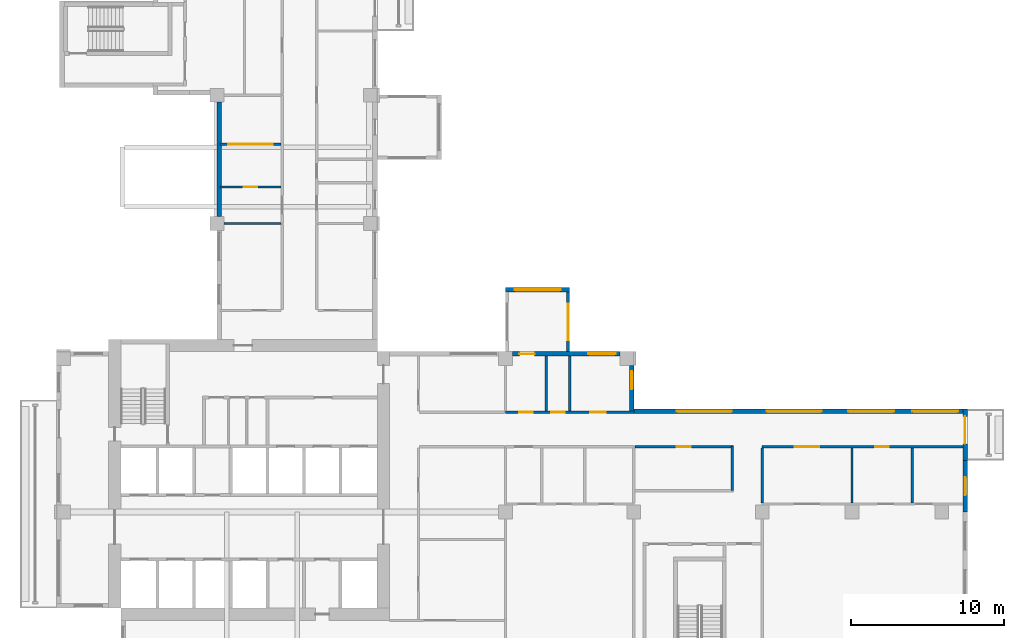
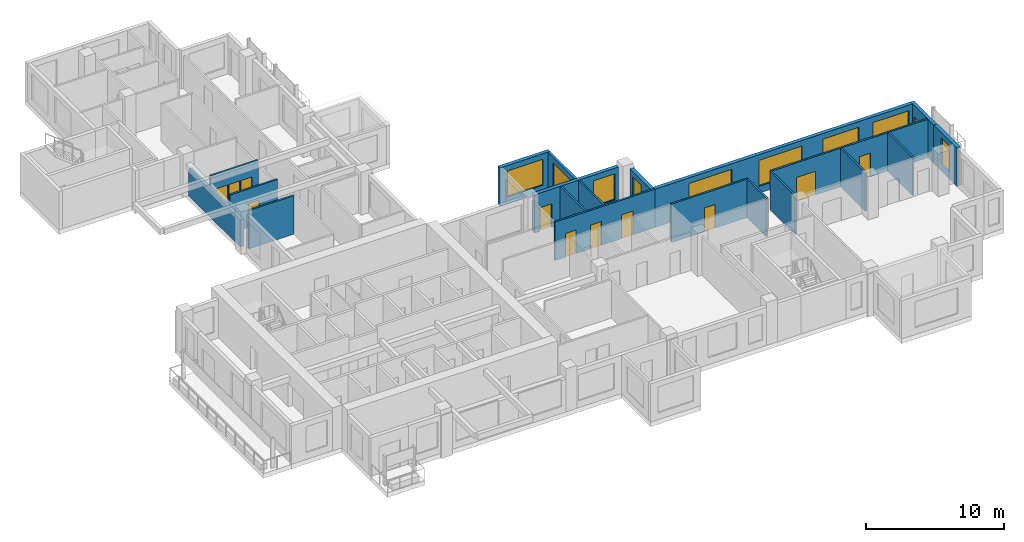
# One storey, part 6 of 13: 20 walls, 12 doors, 9 windows, 21 openings.
"""IFC4 building model written with IfcOpenShell, lengths in metres."""

from ifc_helpers import new_model, si_unit, direction, frame, frame_2d, origin, place, context, subcontext, project, spatial, rectangle, extrude, source, transform, mapped, material, layer, layer_set, type_object, element, fill, save


model = new_model("IFC4")

# Units and contexts
model_context = context("Model", 3, precision=1e-05, world=origin(), true_north=direction((0.0, 1.0)))
body_context = subcontext(model_context, "Body", "Model", "MODEL_VIEW")
ifc_project = project(units=[si_unit("LENGTHUNIT", "METRE"), si_unit("AREAUNIT", "SQUARE_METRE"), si_unit("VOLUMEUNIT", "CUBIC_METRE"), si_unit("PLANEANGLEUNIT", "RADIAN"), si_unit("MASSUNIT", "GRAM", prefix="KILO")], contexts=[model_context])

# Site, building, storey
site_placement = place(None, origin())
site = spatial("IfcSite", under=ifc_project, at=site_placement, CompositionType="ELEMENT")
building_placement = place(site_placement, origin())
building = spatial("IfcBuilding", under=site, at=building_placement, Name="Aurelian Terraces", CompositionType="ELEMENT")
storey_placement = place(building_placement, frame((0.0, 0.0, 193.0)))
storey = spatial("IfcBuildingStorey", under=building, at=storey_placement, Name="L42", CompositionType="ELEMENT", Elevation=193.0)

# Wall
ifc_material_1 = material(Name="Gypsum board on steel studs", Category="steel")
ifc_layer_1 = layer(ifc_material_1, 0.15)
ifc_layer_set_1 = layer_set([ifc_layer_1], Name="Partition 150")
wall_type_1 = type_object("IfcWallType", Name="Partition 150", PredefinedType="PARTITIONING", material=ifc_layer_set_1)
wall_1_placement = place(storey_placement, frame((44.25, 11.9, 0.0), z_axis=(0.0, 0.0, 1.0), x_axis=(0.0, 1.0, 0.0)))
element("IfcWall", 1, at=wall_1_placement, inside=storey, type_object=wall_type_1, Name="Partition", PredefinedType="PARTITIONING", context=body_context, shape_type="SweptSolid", body=[
    extrude(rectangle(XDim=2.875, YDim=0.15, at=frame_2d((1.4375, 0.0))), origin(), (0.0, 0.0, 1.0), 3.4),
])

# Wall, opening, window
ifc_material_2 = material(Name="Concrete fc' 40 MPa", Category="concrete")
ifc_layer_2 = layer(ifc_material_2, 0.2)
ifc_layer_set_2 = layer_set([ifc_layer_2], Name="BOX BEARING WALL 200")
wall_type_2 = type_object("IfcWallType", Name="BOX BEARING WALL 200", PredefinedType="SOLIDWALL", material=ifc_layer_set_2)
shared_shape_1 = source(origin(), body_context, "Body", "SweptSolid", [
    extrude(rectangle(XDim=3.9, YDim=0.2, at=frame_2d((1.95, 0.0))), origin(), (0.0, 0.0, 1.0), 3.39),
])
wall_2_placement = place(storey_placement, frame((33.5, 21.0, 0.0), z_axis=(0.0, 0.0, 1.0), x_axis=(0.0, 1.0, 0.0)))
wall_2 = element("IfcWall", 2, at=wall_2_placement, inside=storey, type_object=wall_type_2, Name="Box return L42 J59.1", PredefinedType="SOLIDWALL", context=body_context, shape_type="MappedRepresentation", body=[
    mapped(shared_shape_1, transform((0.0, 0.0, 0.0), scale=1.0)),
])
shared_shape_2 = source(origin(), body_context, "Body", "SweptSolid", [
    extrude(rectangle(XDim=2.4, YDim=2.3, at=frame_2d((1.2, 1.15))), frame((0.0, 0.11, 0.0), z_axis=(0.0, -1.0, 0.0), x_axis=(1.0, 0.0, 0.0)), (0.0, 0.0, 1.0), 0.22),
])
opening_1_placement = place(wall_2_placement, frame((0.75, 0.0, 0.6)))
opening_1 = element("IfcOpeningElement", 3, at=opening_1_placement, cuts=wall_2, Name="Opening W2423", PredefinedType="OPENING", context=body_context, shape_type="MappedRepresentation", body=[
    mapped(shared_shape_2, transform((0.0, 0.0, 0.0), scale=1.0)),
])
ifc_material_3 = material(Name="Clear glazing", Category="glass")
window_type_1 = type_object("IfcWindowType", Name="W-2400x2300", PartitioningType="SINGLE_PANEL", PredefinedType="WINDOW", material=ifc_material_3)
shared_shape_3 = source(origin(), body_context, "Body", "SweptSolid", [
    extrude(rectangle(XDim=2.4, YDim=2.3, at=frame_2d((1.2, 1.15))), frame((0.0, 0.03, 0.0), z_axis=(0.0, -1.0, 0.0), x_axis=(1.0, 0.0, 0.0)), (0.0, 0.0, 1.0), 0.06),
])
window_1_placement = place(opening_1_placement, origin())
window_1 = element("IfcWindow", 4, at=window_1_placement, inside=storey, type_object=window_type_1, Name="Window L42 J59-S1", OverallHeight=2.3, OverallWidth=2.4, PartitioningType="SINGLE_PANEL", PredefinedType="WINDOW", context=body_context, shape_type="MappedRepresentation", body=[
    mapped(shared_shape_3, transform((0.0, 0.0, 0.0), scale=1.0)),
])
fill(opening_1, window_1)

ifc_layer_3 = layer(ifc_material_2, 0.3)
ifc_layer_set_3 = layer_set([ifc_layer_3], Name="BOX BEARING WALL 300")
wall_type_3 = type_object("IfcWallType", Name="BOX BEARING WALL 300", PredefinedType="SOLIDWALL", material=ifc_layer_set_3)
shared_shape_4 = source(origin(), body_context, "Body", "SweptSolid", [
    extrude(rectangle(XDim=4.2, YDim=0.3, at=frame_2d((2.1, 0.0))), origin(), (0.0, 0.0, 1.0), 3.39),
])
wall_3_placement = place(storey_placement, frame((33.6, 25.05, 0.0), z_axis=(0.0, 0.0, 1.0), x_axis=(-1.0, 0.0, 0.0)))
wall_3 = element("IfcWall", 5, at=wall_3_placement, inside=storey, type_object=wall_type_3, Name="Box wall L42 J59", PredefinedType="SOLIDWALL", context=body_context, shape_type="MappedRepresentation", body=[
    mapped(shared_shape_4, transform((0.0, 0.0, 0.0), scale=1.0)),
])
shared_shape_5 = source(origin(), body_context, "Body", "SweptSolid", [
    extrude(rectangle(XDim=3.0, YDim=2.3, at=frame_2d((1.5, 1.15))), frame((0.0, 0.16, 0.0), z_axis=(0.0, -1.0, 0.0), x_axis=(1.0, 0.0, 0.0)), (0.0, 0.0, 1.0), 0.32),
])
opening_2_placement = place(wall_3_placement, frame((0.6, 0.0, 0.6)))
opening_2 = element("IfcOpeningElement", 6, at=opening_2_placement, cuts=wall_3, Name="Opening W3023", PredefinedType="OPENING", context=body_context, shape_type="MappedRepresentation", body=[
    mapped(shared_shape_5, transform((0.0, 0.0, 0.0), scale=1.0)),
])
window_type_2 = type_object("IfcWindowType", Name="W-3000x2300", PartitioningType="SINGLE_PANEL", PredefinedType="WINDOW", material=ifc_material_3)
shared_shape_6 = source(origin(), body_context, "Body", "SweptSolid", [
    extrude(rectangle(XDim=3.0, YDim=2.3, at=frame_2d((1.5, 1.15))), frame((0.0, 0.03, 0.0), z_axis=(0.0, -1.0, 0.0), x_axis=(1.0, 0.0, 0.0)), (0.0, 0.0, 1.0), 0.06),
])
window_2_placement = place(opening_2_placement, origin())
window_2 = element("IfcWindow", 7, at=window_2_placement, inside=storey, type_object=window_type_2, Name="Window L42 J59-F1", OverallHeight=2.3, OverallWidth=3.0, PartitioningType="SINGLE_PANEL", PredefinedType="WINDOW", context=body_context, shape_type="MappedRepresentation", body=[
    mapped(shared_shape_6, transform((0.0, 0.0, 0.0), scale=1.0)),
])
fill(opening_2, window_2)

ifc_material_4 = material(Name="Terracotta rainscreen cladding", Category="masonry")
ifc_layer_4 = layer(ifc_material_4, 0.3)
ifc_layer_set_4 = layer_set([ifc_layer_4], Name="EW-300")
wall_type_4 = type_object("IfcWallType", Name="EW-300", PredefinedType="STANDARD", material=ifc_layer_set_4)
shared_shape_7 = source(origin(), body_context, "Body", "SweptSolid", [
    extrude(rectangle(XDim=3.375, YDim=0.3, at=frame_2d((1.6875, 0.0))), origin(), (0.0, 0.0, 1.0), 3.4),
])
wall_4_placement = place(storey_placement, frame((59.49, 10.5, 0.0), z_axis=(0.0, 0.0, 1.0), x_axis=(0.0, 1.0, 0.0)))
wall_4 = element("IfcWall", 8, at=wall_4_placement, inside=storey, type_object=wall_type_4, Name="External wall L42 F04.13", PredefinedType="STANDARD", context=body_context, shape_type="MappedRepresentation", body=[
    mapped(shared_shape_7, transform((0.0, 0.0, 0.0), scale=1.0)),
])
shared_shape_8 = source(origin(), body_context, "Body", "SweptSolid", [
    extrude(rectangle(XDim=1.2, YDim=2.3, at=frame_2d((0.6, 1.15))), frame((0.0, 0.16, 0.0), z_axis=(0.0, -1.0, 0.0), x_axis=(1.0, 0.0, 0.0)), (0.0, 0.0, 1.0), 0.32),
])
opening_3_placement = place(wall_4_placement, frame((1.0875, 0.0, 0.6)))
opening_3 = element("IfcOpeningElement", 9, at=opening_3_placement, cuts=wall_4, Name="Opening W1223", PredefinedType="OPENING", context=body_context, shape_type="MappedRepresentation", body=[
    mapped(shared_shape_8, transform((0.0, 0.0, 0.0), scale=1.0)),
])
window_type_3 = type_object("IfcWindowType", Name="W-1200x2300", PartitioningType="SINGLE_PANEL", PredefinedType="WINDOW", material=ifc_material_3)
shared_shape_9 = source(origin(), body_context, "Body", "SweptSolid", [
    extrude(rectangle(XDim=1.2, YDim=2.3, at=frame_2d((0.6, 1.15))), frame((0.0, 0.03, 0.0), z_axis=(0.0, -1.0, 0.0), x_axis=(1.0, 0.0, 0.0)), (0.0, 0.0, 1.0), 0.06),
])
window_3_placement = place(opening_3_placement, origin())
window_3 = element("IfcWindow", 10, at=window_3_placement, inside=storey, type_object=window_type_3, Name="Window L42 L42-F04-13-0", OverallHeight=2.3, OverallWidth=1.2, PartitioningType="SINGLE_PANEL", PredefinedType="WINDOW", context=body_context, shape_type="MappedRepresentation", body=[
    mapped(shared_shape_9, transform((0.0, 0.0, 0.0), scale=1.0)),
])
fill(opening_3, window_3)

# Wall, opening, door
wall_5_placement = place(storey_placement, frame((59.49, 13.875, 0.0), z_axis=(0.0, 0.0, 1.0), x_axis=(0.0, 1.0, 0.0)))
wall_5 = element("IfcWall", 11, at=wall_5_placement, inside=storey, type_object=wall_type_4, Name="External wall L42 F04.14", PredefinedType="STANDARD", context=body_context, shape_type="MappedRepresentation", body=[
    mapped(shared_shape_7, transform((0.0, 0.0, 0.0), scale=1.0)),
])
shared_shape_10 = source(origin(), body_context, "Body", "SweptSolid", [
    extrude(rectangle(XDim=1.8, YDim=2.4, at=frame_2d((0.9, 1.2))), frame((0.0, 0.16, 0.0), z_axis=(0.0, -1.0, 0.0), x_axis=(1.0, 0.0, 0.0)), (0.0, 0.0, 1.0), 0.32),
])
opening_4_placement = place(wall_5_placement, frame((1.0875, 0.0, 0.0)))
opening_4 = element("IfcOpeningElement", 12, at=opening_4_placement, cuts=wall_5, Name="Opening 84202", PredefinedType="OPENING", context=body_context, shape_type="MappedRepresentation", body=[
    mapped(shared_shape_10, transform((0.0, 0.0, 0.0), scale=1.0)),
])
door_type_1 = type_object("IfcDoorType", Name="BD-1800x2400", OperationType="SLIDING_TO_LEFT", PredefinedType="DOOR", material=ifc_material_3)
shared_shape_11 = source(origin(), body_context, "Body", "SweptSolid", [
    extrude(rectangle(XDim=1.8, YDim=2.4, at=frame_2d((0.9, 1.2))), frame((0.0, 0.025, 0.0), z_axis=(0.0, -1.0, 0.0), x_axis=(1.0, 0.0, 0.0)), (0.0, 0.0, 1.0), 0.05),
])
door_1_placement = place(opening_4_placement, origin())
door_1 = element("IfcDoor", 13, at=door_1_placement, inside=storey, type_object=door_type_1, Name="Balcony door L42 F04.14", OperationType="SLIDING_TO_LEFT", OverallHeight=2.4, OverallWidth=1.8, PredefinedType="DOOR", context=body_context, shape_type="MappedRepresentation", body=[
    mapped(shared_shape_11, transform((0.0, 0.0, 0.0), scale=1.0)),
])
fill(opening_4, door_1)

# Wall, openings, windows
shared_shape_12 = source(origin(), body_context, "Body", "SweptSolid", [
    extrude(rectangle(XDim=21.84, YDim=0.3, at=frame_2d((10.92, 0.0))), origin(), (0.0, 0.0, 1.0), 3.4),
])
wall_6_placement = place(storey_placement, frame((59.64, 17.1, 0.0), z_axis=(0.0, 0.0, 1.0), x_axis=(-1.0, 0.0, 0.0)))
wall_6 = element("IfcWall", 14, at=wall_6_placement, inside=storey, type_object=wall_type_4, Name="External wall L42 F05.15", PredefinedType="STANDARD", context=body_context, shape_type="MappedRepresentation", body=[
    mapped(shared_shape_12, transform((0.0, 0.0, 0.0), scale=1.0)),
])
opening_5_placement = place(wall_6_placement, frame((0.6, 0.0, 0.6)))
opening_5 = element("IfcOpeningElement", 15, at=opening_5_placement, cuts=wall_6, Name="Opening W3023", PredefinedType="OPENING", context=body_context, shape_type="MappedRepresentation", body=[
    mapped(shared_shape_5, transform((0.0, 0.0, 0.0), scale=1.0)),
])
opening_6_placement = place(wall_6_placement, frame((4.8, 0.0, 0.6)))
opening_6 = element("IfcOpeningElement", 16, at=opening_6_placement, cuts=wall_6, Name="Opening W3023", PredefinedType="OPENING", context=body_context, shape_type="MappedRepresentation", body=[
    mapped(shared_shape_5, transform((0.0, 0.0, 0.0), scale=1.0)),
])
shared_shape_13 = source(origin(), body_context, "Body", "SweptSolid", [
    extrude(rectangle(XDim=3.6, YDim=2.3, at=frame_2d((1.8, 1.15))), frame((0.0, 0.16, 0.0), z_axis=(0.0, -1.0, 0.0), x_axis=(1.0, 0.0, 0.0)), (0.0, 0.0, 1.0), 0.32),
])
opening_7_placement = place(wall_6_placement, frame((9.54, 0.0, 0.6)))
opening_7 = element("IfcOpeningElement", 17, at=opening_7_placement, cuts=wall_6, Name="Opening W3623", PredefinedType="OPENING", context=body_context, shape_type="MappedRepresentation", body=[
    mapped(shared_shape_13, transform((0.0, 0.0, 0.0), scale=1.0)),
])
opening_8_placement = place(wall_6_placement, frame((15.42, 0.0, 0.6)))
opening_8 = element("IfcOpeningElement", 18, at=opening_8_placement, cuts=wall_6, Name="Opening W3623", PredefinedType="OPENING", context=body_context, shape_type="MappedRepresentation", body=[
    mapped(shared_shape_13, transform((0.0, 0.0, 0.0), scale=1.0)),
])
window_type_4 = type_object("IfcWindowType", Name="W-3600x2300", PartitioningType="SINGLE_PANEL", PredefinedType="WINDOW", material=ifc_material_3)
shared_shape_14 = source(origin(), body_context, "Body", "SweptSolid", [
    extrude(rectangle(XDim=3.6, YDim=2.3, at=frame_2d((1.8, 1.15))), frame((0.0, 0.03, 0.0), z_axis=(0.0, -1.0, 0.0), x_axis=(1.0, 0.0, 0.0)), (0.0, 0.0, 1.0), 0.06),
])
window_4_placement = place(opening_7_placement, origin())
window_4 = element("IfcWindow", 19, at=window_4_placement, inside=storey, type_object=window_type_4, Name="Window L42 L42-F05-15-2", OverallHeight=2.3, OverallWidth=3.6, PartitioningType="SINGLE_PANEL", PredefinedType="WINDOW", context=body_context, shape_type="MappedRepresentation", body=[
    mapped(shared_shape_14, transform((0.0, 0.0, 0.0), scale=1.0)),
])
fill(opening_7, window_4)
window_5_placement = place(opening_8_placement, origin())
window_5 = element("IfcWindow", 20, at=window_5_placement, inside=storey, type_object=window_type_4, Name="Window L42 L42-F05-15-3", OverallHeight=2.3, OverallWidth=3.6, PartitioningType="SINGLE_PANEL", PredefinedType="WINDOW", context=body_context, shape_type="MappedRepresentation", body=[
    mapped(shared_shape_14, transform((0.0, 0.0, 0.0), scale=1.0)),
])
fill(opening_8, window_5)
window_6_placement = place(opening_5_placement, origin())
window_6 = element("IfcWindow", 21, at=window_6_placement, inside=storey, type_object=window_type_2, Name="Window L42 L42-F05-15-0", OverallHeight=2.3, OverallWidth=3.0, PartitioningType="SINGLE_PANEL", PredefinedType="WINDOW", context=body_context, shape_type="MappedRepresentation", body=[
    mapped(shared_shape_6, transform((0.0, 0.0, 0.0), scale=1.0)),
])
fill(opening_5, window_6)
window_7_placement = place(opening_6_placement, origin())
window_7 = element("IfcWindow", 22, at=window_7_placement, inside=storey, type_object=window_type_2, Name="Window L42 L42-F05-15-1", OverallHeight=2.3, OverallWidth=3.0, PartitioningType="SINGLE_PANEL", PredefinedType="WINDOW", context=body_context, shape_type="MappedRepresentation", body=[
    mapped(shared_shape_6, transform((0.0, 0.0, 0.0), scale=1.0)),
])
fill(opening_6, window_7)

# Wall, opening, window
shared_shape_15 = source(origin(), body_context, "Body", "SweptSolid", [
    extrude(rectangle(XDim=3.0, YDim=0.3, at=frame_2d((1.5, 0.0))), origin(), (0.0, 0.0, 1.0), 3.4),
])
wall_7_placement = place(storey_placement, frame((37.65, 17.1, 0.0), z_axis=(0.0, 0.0, 1.0), x_axis=(0.0, 1.0, 0.0)))
wall_7 = element("IfcWall", 23, at=wall_7_placement, inside=storey, type_object=wall_type_4, Name="External wall L42 F06.16", PredefinedType="STANDARD", context=body_context, shape_type="MappedRepresentation", body=[
    mapped(shared_shape_15, transform((0.0, 0.0, 0.0), scale=1.0)),
])
opening_9_placement = place(wall_7_placement, frame((1.425, 0.0, 0.6)))
opening_9 = element("IfcOpeningElement", 24, at=opening_9_placement, cuts=wall_7, Name="Opening W1223", PredefinedType="OPENING", context=body_context, shape_type="MappedRepresentation", body=[
    mapped(shared_shape_8, transform((0.0, 0.0, 0.0), scale=1.0)),
])
window_8_placement = place(opening_9_placement, origin())
window_8 = element("IfcWindow", 25, at=window_8_placement, inside=storey, type_object=window_type_3, Name="Window L42 L42-F06-16-0", OverallHeight=2.3, OverallWidth=1.2, PartitioningType="SINGLE_PANEL", PredefinedType="WINDOW", context=body_context, shape_type="MappedRepresentation", body=[
    mapped(shared_shape_9, transform((0.0, 0.0, 0.0), scale=1.0)),
])
fill(opening_9, window_8)

# Wall, openings, window, door
shared_shape_16 = source(origin(), body_context, "Body", "SweptSolid", [
    extrude(rectangle(XDim=7.05, YDim=0.3, at=frame_2d((3.525, 0.0))), origin(), (0.0, 0.0, 1.0), 3.4),
])
wall_8_placement = place(storey_placement, frame((36.9, 20.85, 0.0), z_axis=(0.0, 0.0, 1.0), x_axis=(-1.0, 0.0, 0.0)))
wall_8 = element("IfcWall", 26, at=wall_8_placement, inside=storey, type_object=wall_type_4, Name="External wall L42 F07.17", PredefinedType="STANDARD", context=body_context, shape_type="MappedRepresentation", body=[
    mapped(shared_shape_16, transform((0.0, 0.0, 0.0), scale=1.0)),
])
shared_shape_17 = source(origin(), body_context, "Body", "SweptSolid", [
    extrude(rectangle(XDim=1.8, YDim=2.3, at=frame_2d((0.9, 1.15))), frame((0.0, 0.16, 0.0), z_axis=(0.0, -1.0, 0.0), x_axis=(1.0, 0.0, 0.0)), (0.0, 0.0, 1.0), 0.32),
])
opening_10_placement = place(wall_8_placement, frame((0.3, 0.0, 0.6)))
opening_10 = element("IfcOpeningElement", 27, at=opening_10_placement, cuts=wall_8, Name="Opening W1823", PredefinedType="OPENING", context=body_context, shape_type="MappedRepresentation", body=[
    mapped(shared_shape_17, transform((0.0, 0.0, 0.0), scale=1.0)),
])
shared_shape_18 = source(origin(), body_context, "Body", "SweptSolid", [
    extrude(rectangle(XDim=1.0, YDim=2.1, at=frame_2d((0.5, 1.05))), frame((0.0, 0.16, 0.0), z_axis=(0.0, -1.0, 0.0), x_axis=(1.0, 0.0, 0.0)), (0.0, 0.0, 1.0), 0.32),
])
opening_11_placement = place(wall_8_placement, frame((5.6, 0.0, 0.0)))
opening_11 = element("IfcOpeningElement", 28, at=opening_11_placement, cuts=wall_8, Name="Opening 842004", PredefinedType="OPENING", context=body_context, shape_type="MappedRepresentation", body=[
    mapped(shared_shape_18, transform((0.0, 0.0, 0.0), scale=1.0)),
])
window_type_5 = type_object("IfcWindowType", Name="W-1800x2300", PartitioningType="SINGLE_PANEL", PredefinedType="WINDOW", material=ifc_material_3)
shared_shape_19 = source(origin(), body_context, "Body", "SweptSolid", [
    extrude(rectangle(XDim=1.8, YDim=2.3, at=frame_2d((0.9, 1.15))), frame((0.0, 0.03, 0.0), z_axis=(0.0, -1.0, 0.0), x_axis=(1.0, 0.0, 0.0)), (0.0, 0.0, 1.0), 0.06),
])
window_9_placement = place(opening_10_placement, origin())
window_9 = element("IfcWindow", 29, at=window_9_placement, inside=storey, type_object=window_type_5, Name="Window L42 L42-F07-17-0", OverallHeight=2.3, OverallWidth=1.8, PartitioningType="SINGLE_PANEL", PredefinedType="WINDOW", context=body_context, shape_type="MappedRepresentation", body=[
    mapped(shared_shape_19, transform((0.0, 0.0, 0.0), scale=1.0)),
])
fill(opening_10, window_9)
ifc_material_5 = material(Name="Timber door leaf", Category="wood")
door_type_2 = type_object("IfcDoorType", Name="Room door 1000x2100 left", OperationType="SINGLE_SWING_LEFT", PredefinedType="DOOR", material=ifc_material_5)
shared_shape_20 = source(origin(), body_context, "Body", "SweptSolid", [
    extrude(rectangle(XDim=1.0, YDim=2.1, at=frame_2d((0.5, 1.05))), frame((0.0, 0.025, 0.0), z_axis=(0.0, -1.0, 0.0), x_axis=(1.0, 0.0, 0.0)), (0.0, 0.0, 1.0), 0.05),
])
door_2_placement = place(opening_11_placement, origin())
door_2 = element("IfcDoor", 30, at=door_2_placement, inside=storey, type_object=door_type_2, Name="Door 842004", OperationType="SINGLE_SWING_LEFT", OverallHeight=2.1, OverallWidth=1.0, PredefinedType="DOOR", context=body_context, shape_type="MappedRepresentation", body=[
    mapped(shared_shape_20, transform((0.0, 0.0, 0.0), scale=1.0)),
])
fill(opening_11, door_2)

# Wall
shared_shape_21 = source(origin(), body_context, "Body", "SweptSolid", [
    extrude(rectangle(XDim=7.5, YDim=0.3, at=frame_2d((3.75, 0.0))), origin(), (0.0, 0.0, 1.0), 2.4),
])
wall_9_placement = place(storey_placement, frame((10.65, 37.35, 0.0), z_axis=(0.0, 0.0, 1.0), x_axis=(0.0, -1.0, 0.0)))
element("IfcWall", 31, at=wall_9_placement, inside=storey, type_object=wall_type_4, Name="External wall L42 F18.34", PredefinedType="STANDARD", context=body_context, shape_type="MappedRepresentation", body=[
    mapped(shared_shape_21, transform((0.0, 0.0, 0.0), scale=1.0)),
])

# Wall, opening, door
ifc_layer_5 = layer(ifc_material_1, 0.15)
ifc_layer_set_5 = layer_set([ifc_layer_5], Name="Fire partition 150")
wall_type_5 = type_object("IfcWallType", Name="Fire partition 150", PredefinedType="PARTITIONING", material=ifc_layer_set_5)
shared_shape_22 = source(origin(), body_context, "Body", "SweptSolid", [
    extrude(rectangle(XDim=6.45, YDim=0.15, at=frame_2d((3.225, 0.0))), origin(), (0.0, 0.0, 1.0), 3.4),
])
wall_10_placement = place(storey_placement, frame((44.325, 14.775, 0.0), z_axis=(0.0, 0.0, 1.0), x_axis=(-1.0, 0.0, 0.0)))
wall_10 = element("IfcWall", 32, at=wall_10_placement, inside=storey, type_object=wall_type_5, Name="Corridor wall", PredefinedType="PARTITIONING", context=body_context, shape_type="MappedRepresentation", body=[
    mapped(shared_shape_22, transform((0.0, 0.0, 0.0), scale=1.0)),
])
shared_shape_23 = source(origin(), body_context, "Body", "SweptSolid", [
    extrude(rectangle(XDim=0.9, YDim=2.1, at=frame_2d((0.45, 1.05))), frame((0.0, 0.085, 0.0), z_axis=(0.0, -1.0, 0.0), x_axis=(1.0, 0.0, 0.0)), (0.0, 0.0, 1.0), 0.17),
])
opening_12_placement = place(wall_10_placement, frame((2.8125, 0.0, 0.0)))
opening_12 = element("IfcOpeningElement", 33, at=opening_12_placement, cuts=wall_10, Name="Opening 742005", PredefinedType="OPENING", context=body_context, shape_type="MappedRepresentation", body=[
    mapped(shared_shape_23, transform((0.0, 0.0, 0.0), scale=1.0)),
])
door_type_3 = type_object("IfcDoorType", Name="Room door 900x2100 right", OperationType="SINGLE_SWING_RIGHT", PredefinedType="DOOR", material=ifc_material_5)
shared_shape_24 = source(origin(), body_context, "Body", "SweptSolid", [
    extrude(rectangle(XDim=0.9, YDim=2.1, at=frame_2d((0.45, 1.05))), frame((0.0, 0.025, 0.0), z_axis=(0.0, -1.0, 0.0), x_axis=(1.0, 0.0, 0.0)), (0.0, 0.0, 1.0), 0.05),
])
door_3_placement = place(opening_12_placement, origin())
door_3 = element("IfcDoor", 34, at=door_3_placement, inside=storey, type_object=door_type_3, Name="Door 742005", OperationType="SINGLE_SWING_RIGHT", OverallHeight=2.1, OverallWidth=0.9, PredefinedType="DOOR", context=body_context, shape_type="MappedRepresentation", body=[
    mapped(shared_shape_24, transform((0.0, 0.0, 0.0), scale=1.0)),
])
fill(opening_12, door_3)

# Walls
shared_shape_25 = source(origin(), body_context, "Body", "SweptSolid", [
    extrude(rectangle(XDim=3.6, YDim=0.15, at=frame_2d((1.8, 0.0))), origin(), (0.0, 0.0, 1.0), 3.4),
])
for number, where, z_axis, x_axis, name in (
    (35, (52.08, 11.1, 0.0), (0.0, 0.0, 1.0), (0.0, 1.0, 0.0), "Partition"),
    (36, (56.0269, 11.1, 0.0), (0.0, 0.0, 1.0), (0.0, 1.0, 0.0), "Partition"),
):
    element("IfcWall", number, at=place(storey_placement, frame(where, z_axis=z_axis, x_axis=x_axis)), inside=storey, type_object=wall_type_1, Name=name, PredefinedType="PARTITIONING", context=body_context, shape_type="MappedRepresentation", body=[
        mapped(shared_shape_25, transform((0.0, 0.0, 0.0), scale=1.0)),
    ])
wall_11_placement = place(storey_placement, frame((46.2, 11.1, 0.0), z_axis=(0.0, 0.0, 1.0), x_axis=(0.0, 1.0, 0.0)))
element("IfcWall", 37, at=wall_11_placement, inside=storey, type_object=wall_type_5, Name="Party wall", PredefinedType="PARTITIONING", context=body_context, shape_type="MappedRepresentation", body=[
    mapped(shared_shape_25, transform((0.0, 0.0, 0.0), scale=1.0)),
])
wall_12_placement = place(storey_placement, frame((32.067, 20.7, 0.0), z_axis=(0.0, 0.0, 1.0), x_axis=(0.0, -1.0, 0.0)))
element("IfcWall", 38, at=wall_12_placement, inside=storey, type_object=wall_type_1, Name="Partition", PredefinedType="PARTITIONING", context=body_context, shape_type="MappedRepresentation", body=[
    mapped(shared_shape_25, transform((0.0, 0.0, 0.0), scale=1.0)),
])
wall_13_placement = place(storey_placement, frame((33.6, 17.1, 0.0), z_axis=(0.0, 0.0, 1.0), x_axis=(0.0, 1.0, 0.0)))
element("IfcWall", 39, at=wall_13_placement, inside=storey, type_object=wall_type_5, Name="Party wall", PredefinedType="PARTITIONING", context=body_context, shape_type="MappedRepresentation", body=[
    mapped(shared_shape_25, transform((0.0, 0.0, 0.0), scale=1.0)),
])

# Wall, openings, doors
shared_shape_26 = source(origin(), body_context, "Body", "SweptSolid", [
    extrude(rectangle(XDim=8.4, YDim=0.15, at=frame_2d((4.2, 0.0))), origin(), (0.0, 0.0, 1.0), 3.4),
])
wall_14_placement = place(storey_placement, frame((29.4, 17.025, 0.0), z_axis=(0.0, 0.0, 1.0), x_axis=(1.0, 0.0, 0.0)))
wall_14 = element("IfcWall", 40, at=wall_14_placement, inside=storey, type_object=wall_type_5, Name="Corridor wall", PredefinedType="PARTITIONING", context=body_context, shape_type="MappedRepresentation", body=[
    mapped(shared_shape_26, transform((0.0, 0.0, 0.0), scale=1.0)),
])
opening_13_placement = place(wall_14_placement, frame((0.8835, 0.0, 0.0)))
opening_13 = element("IfcOpeningElement", 41, at=opening_13_placement, cuts=wall_14, Name="Opening 742016", PredefinedType="OPENING", context=body_context, shape_type="MappedRepresentation", body=[
    mapped(shared_shape_23, transform((0.0, 0.0, 0.0), scale=1.0)),
])
opening_14_placement = place(wall_14_placement, frame((2.9835, 0.0, 0.0)))
opening_14 = element("IfcOpeningElement", 42, at=opening_14_placement, cuts=wall_14, Name="Opening 742017", PredefinedType="OPENING", context=body_context, shape_type="MappedRepresentation", body=[
    mapped(shared_shape_23, transform((0.0, 0.0, 0.0), scale=1.0)),
])
shared_shape_27 = source(origin(), body_context, "Body", "SweptSolid", [
    extrude(rectangle(XDim=1.0, YDim=2.1, at=frame_2d((0.5, 1.05))), frame((0.0, 0.085, 0.0), z_axis=(0.0, -1.0, 0.0), x_axis=(1.0, 0.0, 0.0)), (0.0, 0.0, 1.0), 0.17),
])
opening_15_placement = place(wall_14_placement, frame((5.5567, 0.0, 0.0)))
opening_15 = element("IfcOpeningElement", 43, at=opening_15_placement, cuts=wall_14, Name="Opening 742018", PredefinedType="OPENING", context=body_context, shape_type="MappedRepresentation", body=[
    mapped(shared_shape_27, transform((0.0, 0.0, 0.0), scale=1.0)),
])
ifc_material_6 = material(Name="Steel door leaf", Category="steel")
door_type_4 = type_object("IfcDoorType", Name="Entrance fire door 1000x2100 left", OperationType="SINGLE_SWING_LEFT", PredefinedType="DOOR", material=ifc_material_6)
door_4_placement = place(opening_15_placement, origin())
door_4 = element("IfcDoor", 44, at=door_4_placement, inside=storey, type_object=door_type_4, Name="Door 742018", OperationType="SINGLE_SWING_LEFT", OverallHeight=2.1, OverallWidth=1.0, PredefinedType="DOOR", context=body_context, shape_type="MappedRepresentation", body=[
    mapped(shared_shape_20, transform((0.0, 0.0, 0.0), scale=1.0)),
])
fill(opening_15, door_4)
door_type_5 = type_object("IfcDoorType", Name="Entrance fire door 900x2100 left", OperationType="SINGLE_SWING_LEFT", PredefinedType="DOOR", material=ifc_material_6)
door_5_placement = place(opening_13_placement, origin())
door_5 = element("IfcDoor", 45, at=door_5_placement, inside=storey, type_object=door_type_5, Name="Door 742016", OperationType="SINGLE_SWING_LEFT", OverallHeight=2.1, OverallWidth=0.9, PredefinedType="DOOR", context=body_context, shape_type="MappedRepresentation", body=[
    mapped(shared_shape_24, transform((0.0, 0.0, 0.0), scale=1.0)),
])
fill(opening_13, door_5)
door_type_6 = type_object("IfcDoorType", Name="Entrance fire door 900x2100 right", OperationType="SINGLE_SWING_RIGHT", PredefinedType="DOOR", material=ifc_material_6)
door_6_placement = place(opening_14_placement, origin())
door_6 = element("IfcDoor", 46, at=door_6_placement, inside=storey, type_object=door_type_6, Name="Door 742017", OperationType="SINGLE_SWING_RIGHT", OverallHeight=2.1, OverallWidth=0.9, PredefinedType="DOOR", context=body_context, shape_type="MappedRepresentation", body=[
    mapped(shared_shape_24, transform((0.0, 0.0, 0.0), scale=1.0)),
])
fill(opening_14, door_6)

shared_shape_28 = source(origin(), body_context, "Body", "SweptSolid", [
    extrude(rectangle(XDim=13.14, YDim=0.15, at=frame_2d((6.57, 0.0))), origin(), (0.0, 0.0, 1.0), 3.4),
])
wall_15_placement = place(storey_placement, frame((59.34, 14.775, 0.0), z_axis=(0.0, 0.0, 1.0), x_axis=(-1.0, 0.0, 0.0)))
wall_15 = element("IfcWall", 47, at=wall_15_placement, inside=storey, type_object=wall_type_5, Name="Corridor wall", PredefinedType="PARTITIONING", context=body_context, shape_type="MappedRepresentation", body=[
    mapped(shared_shape_28, transform((0.0, 0.0, 0.0), scale=1.0)),
])
shared_shape_29 = source(origin(), body_context, "Body", "SweptSolid", [
    extrude(rectangle(XDim=1.6, YDim=2.1, at=frame_2d((0.8, 1.05))), frame((0.0, 0.085, 0.0), z_axis=(0.0, -1.0, 0.0), x_axis=(1.0, 0.0, 0.0)), (0.0, 0.0, 1.0), 0.17),
])
opening_16_placement = place(wall_15_placement, frame((9.4, 0.0, 0.0)))
opening_16 = element("IfcOpeningElement", 48, at=opening_16_placement, cuts=wall_15, Name="Opening 742011", PredefinedType="OPENING", context=body_context, shape_type="MappedRepresentation", body=[
    mapped(shared_shape_29, transform((0.0, 0.0, 0.0), scale=1.0)),
])
opening_17_placement = place(wall_15_placement, frame((4.8366, 0.0, 0.0)))
opening_17 = element("IfcOpeningElement", 49, at=opening_17_placement, cuts=wall_15, Name="Opening 742015", PredefinedType="OPENING", context=body_context, shape_type="MappedRepresentation", body=[
    mapped(shared_shape_23, transform((0.0, 0.0, 0.0), scale=1.0)),
])
door_7_placement = place(opening_17_placement, origin())
door_7 = element("IfcDoor", 50, at=door_7_placement, inside=storey, type_object=door_type_5, Name="Door 742015", OperationType="SINGLE_SWING_LEFT", OverallHeight=2.1, OverallWidth=0.9, PredefinedType="DOOR", context=body_context, shape_type="MappedRepresentation", body=[
    mapped(shared_shape_24, transform((0.0, 0.0, 0.0), scale=1.0)),
])
fill(opening_17, door_7)
door_type_7 = type_object("IfcDoorType", Name="Entrance fire door 1600x2100 left", OperationType="SINGLE_SWING_LEFT", PredefinedType="DOOR", material=ifc_material_6)
shared_shape_30 = source(origin(), body_context, "Body", "SweptSolid", [
    extrude(rectangle(XDim=1.6, YDim=2.1, at=frame_2d((0.8, 1.05))), frame((0.0, 0.025, 0.0), z_axis=(0.0, -1.0, 0.0), x_axis=(1.0, 0.0, 0.0)), (0.0, 0.0, 1.0), 0.05),
])
door_8_placement = place(opening_16_placement, origin())
door_8 = element("IfcDoor", 51, at=door_8_placement, inside=storey, type_object=door_type_7, Name="Door 742011", OperationType="SINGLE_SWING_LEFT", OverallHeight=2.1, OverallWidth=1.6, PredefinedType="DOOR", context=body_context, shape_type="MappedRepresentation", body=[
    mapped(shared_shape_30, transform((0.0, 0.0, 0.0), scale=1.0)),
])
fill(opening_16, door_8)

# Wall
shared_shape_31 = source(origin(), body_context, "Body", "SweptSolid", [
    extrude(rectangle(XDim=3.751, YDim=0.15, at=frame_2d((1.8755, 0.0))), origin(), (0.0, 0.0, 1.0), 3.4),
])
wall_16_placement = place(storey_placement, frame((14.7, 29.4, 0.0), z_axis=(0.0, 0.0, 1.0), x_axis=(-1.0, 0.0, 0.0)))
element("IfcWall", 52, at=wall_16_placement, inside=storey, type_object=wall_type_1, Name="Partition", PredefinedType="PARTITIONING", context=body_context, shape_type="MappedRepresentation", body=[
    mapped(shared_shape_31, transform((0.0, 0.0, 0.0), scale=1.0)),
])

# Wall, opening, door
shared_shape_32 = source(origin(), body_context, "Body", "SweptSolid", [
    extrude(rectangle(XDim=3.995, YDim=0.15, at=frame_2d((1.9975, 0.0))), origin(), (0.0, 0.0, 1.0), 3.4),
])
wall_17_placement = place(storey_placement, frame((14.7, 31.7771, 0.0), z_axis=(0.0, 0.0, 1.0), x_axis=(-1.0, 0.0, 0.0)))
wall_17 = element("IfcWall", 53, at=wall_17_placement, inside=storey, type_object=wall_type_1, Name="Partition", PredefinedType="PARTITIONING", context=body_context, shape_type="MappedRepresentation", body=[
    mapped(shared_shape_32, transform((0.0, 0.0, 0.0), scale=1.0)),
])
opening_18_placement = place(wall_17_placement, frame((1.5475, 0.0, 0.0)))
opening_18 = element("IfcOpeningElement", 54, at=opening_18_placement, cuts=wall_17, Name="Opening 742034", PredefinedType="OPENING", context=body_context, shape_type="MappedRepresentation", body=[
    mapped(shared_shape_23, transform((0.0, 0.0, 0.0), scale=1.0)),
])
door_type_8 = type_object("IfcDoorType", Name="Room door 900x2100 left", OperationType="SINGLE_SWING_LEFT", PredefinedType="DOOR", material=ifc_material_5)
door_9_placement = place(opening_18_placement, origin())
door_9 = element("IfcDoor", 55, at=door_9_placement, inside=storey, type_object=door_type_8, Name="Door 742034", OperationType="SINGLE_SWING_LEFT", OverallHeight=2.1, OverallWidth=0.9, PredefinedType="DOOR", context=body_context, shape_type="MappedRepresentation", body=[
    mapped(shared_shape_24, transform((0.0, 0.0, 0.0), scale=1.0)),
])
fill(opening_18, door_9)

# Wall, openings, doors
wall_18_placement = place(storey_placement, frame((14.7, 34.5827, 0.0), z_axis=(0.0, 0.0, 1.0), x_axis=(-1.0, 0.0, 0.0)))
wall_18 = element("IfcWall", 56, at=wall_18_placement, inside=storey, type_object=wall_type_1, Name="Partition", PredefinedType="PARTITIONING", context=body_context, shape_type="MappedRepresentation", body=[
    mapped(shared_shape_32, transform((0.0, 0.0, 0.0), scale=1.0)),
])
opening_19_placement = place(wall_18_placement, frame((1.5475, 0.0, 0.0)))
opening_19 = element("IfcOpeningElement", 57, at=opening_19_placement, cuts=wall_18, Name="Opening 742035", PredefinedType="OPENING", context=body_context, shape_type="MappedRepresentation", body=[
    mapped(shared_shape_23, transform((0.0, 0.0, 0.0), scale=1.0)),
])
opening_20_placement = place(wall_18_placement, frame((0.547, 0.0, 0.0)))
opening_20 = element("IfcOpeningElement", 58, at=opening_20_placement, cuts=wall_18, Name="Opening 742037", PredefinedType="OPENING", context=body_context, shape_type="MappedRepresentation", body=[
    mapped(shared_shape_23, transform((0.0, 0.0, 0.0), scale=1.0)),
])
opening_21_placement = place(wall_18_placement, frame((2.547, 0.0, 0.0)))
opening_21 = element("IfcOpeningElement", 59, at=opening_21_placement, cuts=wall_18, Name="Opening 742039", PredefinedType="OPENING", context=body_context, shape_type="MappedRepresentation", body=[
    mapped(shared_shape_23, transform((0.0, 0.0, 0.0), scale=1.0)),
])
door_10_placement = place(opening_19_placement, origin())
door_10 = element("IfcDoor", 60, at=door_10_placement, inside=storey, type_object=door_type_8, Name="Door 742035", OperationType="SINGLE_SWING_LEFT", OverallHeight=2.1, OverallWidth=0.9, PredefinedType="DOOR", context=body_context, shape_type="MappedRepresentation", body=[
    mapped(shared_shape_24, transform((0.0, 0.0, 0.0), scale=1.0)),
])
fill(opening_19, door_10)
door_11_placement = place(opening_20_placement, origin())
door_11 = element("IfcDoor", 61, at=door_11_placement, inside=storey, type_object=door_type_5, Name="Door 742037", OperationType="SINGLE_SWING_LEFT", OverallHeight=2.1, OverallWidth=0.9, PredefinedType="DOOR", context=body_context, shape_type="MappedRepresentation", body=[
    mapped(shared_shape_24, transform((0.0, 0.0, 0.0), scale=1.0)),
])
fill(opening_20, door_11)
door_12_placement = place(opening_21_placement, origin())
door_12 = element("IfcDoor", 62, at=door_12_placement, inside=storey, type_object=door_type_5, Name="Door 742039", OperationType="SINGLE_SWING_LEFT", OverallHeight=2.1, OverallWidth=0.9, PredefinedType="DOOR", context=body_context, shape_type="MappedRepresentation", body=[
    mapped(shared_shape_24, transform((0.0, 0.0, 0.0), scale=1.0)),
])
fill(opening_21, door_12)

save(model, "model.ifc")
